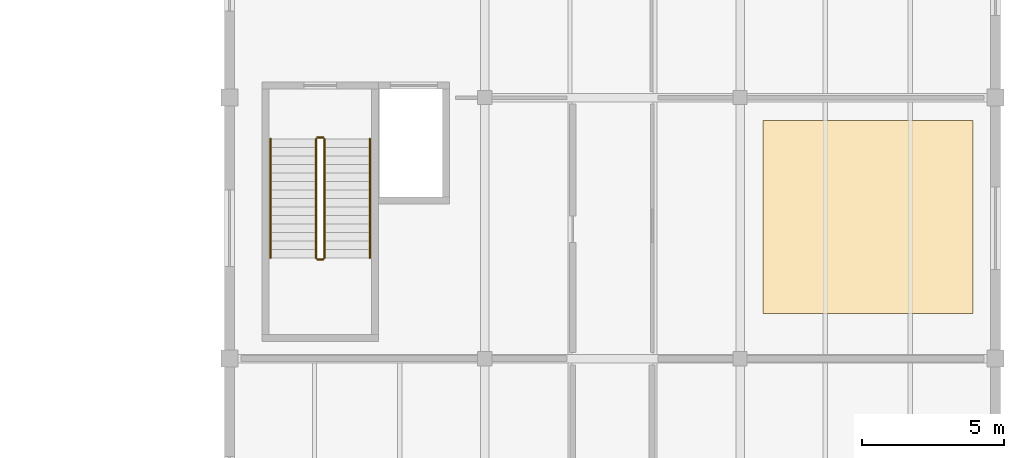
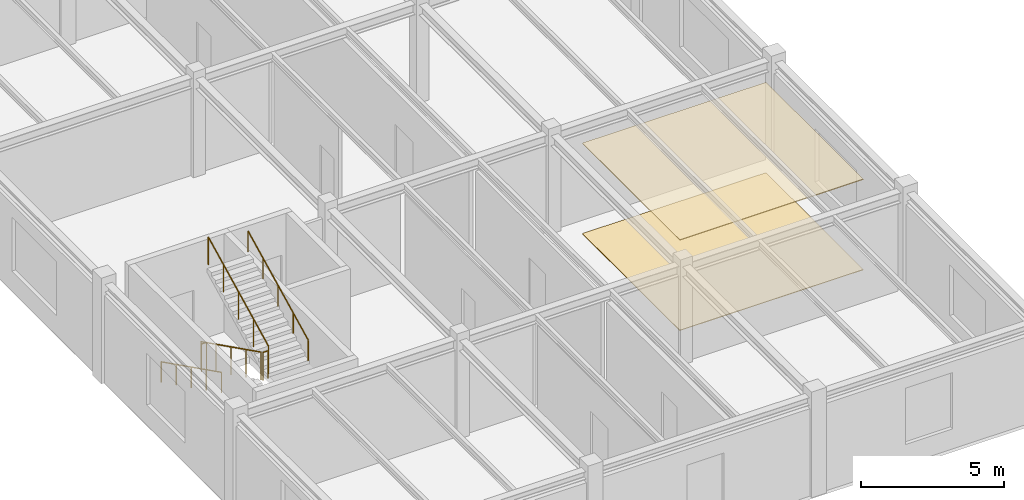
# One storey, part 55 of 55: 6 railings, 2 coverings.
"""IFC4 building model written with IfcOpenShell, lengths in metres."""

from ifc_helpers import new_model, si_unit, direction, frame, origin, origin_2d, place, context, subcontext, project, spatial, polyline, circle, outline, extrude, material, layer, layer_set, type_object, element, save


model = new_model("IFC4")

# Units and contexts
model_context = context("Model", 3, precision=1e-05, world=origin(), true_north=direction((0.0, 1.0)))
body_context = subcontext(model_context, "Body", "Model", "MODEL_VIEW")
ifc_project = project(units=[si_unit("LENGTHUNIT", "METRE"), si_unit("AREAUNIT", "SQUARE_METRE"), si_unit("VOLUMEUNIT", "CUBIC_METRE"), si_unit("PLANEANGLEUNIT", "RADIAN"), si_unit("MASSUNIT", "GRAM", prefix="KILO")], contexts=[model_context])

# Site, building, storey
site_placement = place(None, origin())
site = spatial("IfcSite", under=ifc_project, at=site_placement, CompositionType="ELEMENT")
building_placement = place(site_placement, origin())
building = spatial("IfcBuilding", under=site, at=building_placement, Name="Bozkorgan Art Gallery", CompositionType="ELEMENT")
storey_placement = place(building_placement, frame((0.0, 0.0, 15.0)))
storey = spatial("IfcBuildingStorey", under=building, at=storey_placement, Name="L03", CompositionType="ELEMENT", Elevation=15.0)

# Coverings
ifc_material_1 = material(Name="Micro-Perforated Acoustic Gypsum Board")
ifc_layer_1 = layer(ifc_material_1, 0.034912109375, Name="Micro-Perforated Acoustic Gypsum Board")
ifc_layer_set_1 = layer_set([ifc_layer_1], Name="Micro-Perforated Acoustic Gypsum Board")
covering_type_1 = type_object("IfcCoveringType", Name="COV-CEIL-01", PredefinedType="CEILING", material=ifc_layer_set_1)
covering_1_placement = place(storey_placement, frame((0.0, 0.0, 3.844970703125)))
element("IfcCovering", 1, at=covering_1_placement, inside=storey, type_object=covering_type_1, Name="V5 L03 acoustic gallery ceiling 10", PredefinedType="CEILING", context=body_context, shape_type="SweptSolid", body=[
    extrude(outline(polyline([(155.800048828125, 76.800048828125), (163.199951171875, 76.800048828125), (163.199951171875, 83.60009765625), (155.800048828125, 83.60009765625), (155.800048828125, 76.800048828125)])), origin(), (0.0, 0.0, 1.0), 0.034912109375),
])
ifc_material_2 = material(Name="Polished Kordai Granite Terrazzo", Category="masonry")
ifc_layer_2 = layer(ifc_material_2, 0.02490234375, Name="Polished Kordai Granite Terrazzo")
ifc_layer_set_2 = layer_set([ifc_layer_2], Name="Polished Kordai Granite Terrazzo")
covering_type_2 = type_object("IfcCoveringType", Name="COV-FLR-01", PredefinedType="FLOORING", material=ifc_layer_set_2)
covering_2_placement = place(storey_placement, origin())
element("IfcCovering", 2, at=covering_2_placement, inside=storey, type_object=covering_type_2, Name="V5 L03 terrazzo gallery flooring 10", PredefinedType="FLOORING", context=body_context, shape_type="SweptSolid", body=[
    extrude(outline(polyline([(155.800048828125, 76.800048828125), (163.199951171875, 76.800048828125), (163.199951171875, 83.60009765625), (155.800048828125, 83.60009765625), (155.800048828125, 76.800048828125)])), origin(), (0.0, 0.0, 1.0), 0.02490234375),
])

# Railings
ifc_material_3 = material(Name="Steel S355J2", Category="steel")
railing_type_1 = type_object("IfcRailingType", Name="RAIL-GRD-115", PredefinedType="GUARDRAIL", material=ifc_material_3)
railing_1_placement = place(storey_placement, frame((140.050048828125, 82.949951171875, 0.14990234375)))
element("IfcRailing", 3, at=railing_1_placement, inside=storey, type_object=railing_type_1, Name="L03 ST3 stair guard 1", PredefinedType="GUARDRAIL", context=body_context, shape_type="SweptSolid", body=[
    extrude(circle(Radius=0.02392578125, at=origin_2d()), frame((0.0, 0.0, 1.17578125), z_axis=(0.0, -0.894416792377, 0.447234392142), x_axis=(1.0, 0.0, 0.0)), (0.0, 0.0, 1.0), 4.69580078125),
    extrude(circle(Radius=0.02099609375, at=origin_2d()), origin(), (0.0, 0.0, 1.0), 1.15185546875),
    extrude(circle(Radius=0.02099609375, at=origin_2d()), frame((0.0, -1.050048828125, 0.52490234375)), (0.0, 0.0, 1.0), 1.15185546875),
    extrude(circle(Radius=0.02099609375, at=origin_2d()), frame((0.0, -2.10009765625, 1.050048828125)), (0.0, 0.0, 1.0), 1.15185546875),
    extrude(circle(Radius=0.02099609375, at=origin_2d()), frame((0.0, -3.14990234375, 1.5751953125)), (0.0, 0.0, 1.0), 1.15185546875),
    extrude(circle(Radius=0.02099609375, at=origin_2d()), frame((0.0, -4.199951171875, 2.10009765625)), (0.0, 0.0, 1.0), 1.15185546875),
])
railing_2_placement = place(storey_placement, frame((140.10009765625, 78.699951171875, 2.25)))
element("IfcRailing", 4, at=railing_2_placement, inside=storey, type_object=railing_type_1, Name="L03 ST3 stair guard 2", PredefinedType="GUARDRAIL", context=body_context, shape_type="SweptSolid", body=[
    extrude(circle(Radius=0.02392578125, at=origin_2d()), frame((0.0, 0.0, 1.17578125), z_axis=(1.0, 0.0, 0.0), x_axis=(0.0, 1.0, 0.0)), (0.0, 0.0, 1.0), 0.199951171875),
    extrude(circle(Radius=0.02099609375, at=origin_2d()), origin(), (0.0, 0.0, 1.0), 1.15185546875),
    extrude(circle(Radius=0.02099609375, at=origin_2d()), frame((0.199951171875, 0.0, 0.0)), (0.0, 0.0, 1.0), 1.15185546875),
])
railing_3_placement = place(storey_placement, frame((140.35009765625, 78.75, 2.39990234375)))
element("IfcRailing", 5, at=railing_3_placement, inside=storey, type_object=railing_type_1, Name="L03 ST3 stair guard 3", PredefinedType="GUARDRAIL", context=body_context, shape_type="SweptSolid", body=[
    extrude(circle(Radius=0.02392578125, at=origin_2d()), frame((0.0, 0.0, 1.17578125), z_axis=(0.0, 0.894416792377, 0.447234392142), x_axis=(-1.0, 0.0, 0.0)), (0.0, 0.0, 1.0), 4.69580078125),
    extrude(circle(Radius=0.02099609375, at=origin_2d()), origin(), (0.0, 0.0, 1.0), 1.15185546875),
    extrude(circle(Radius=0.02099609375, at=origin_2d()), frame((0.0, 1.050048828125, 0.52490234375)), (0.0, 0.0, 1.0), 1.15185546875),
    extrude(circle(Radius=0.02099609375, at=origin_2d()), frame((0.0, 2.10009765625, 1.050048828125)), (0.0, 0.0, 1.0), 1.15185546875),
    extrude(circle(Radius=0.02099609375, at=origin_2d()), frame((0.0, 3.14990234375, 1.5751953125)), (0.0, 0.0, 1.0), 1.15185546875),
    extrude(circle(Radius=0.02099609375, at=origin_2d()), frame((0.0, 4.199951171875, 2.10009765625)), (0.0, 0.0, 1.0), 1.15185546875),
])
railing_4_placement = place(storey_placement, frame((140.10009765625, 83.0, 0.0)))
element("IfcRailing", 6, at=railing_4_placement, inside=storey, type_object=railing_type_1, Name="L03 ST3 stair guard 4", PredefinedType="GUARDRAIL", context=body_context, shape_type="SweptSolid", body=[
    extrude(circle(Radius=0.02392578125, at=origin_2d()), frame((0.0, 0.0, 1.17578125), z_axis=(1.0, 0.0, 0.0), x_axis=(0.0, 1.0, 0.0)), (0.0, 0.0, 1.0), 0.199951171875),
    extrude(circle(Radius=0.02099609375, at=origin_2d()), origin(), (0.0, 0.0, 1.0), 1.15185546875),
    extrude(circle(Radius=0.02099609375, at=origin_2d()), frame((0.199951171875, 0.0, 0.0)), (0.0, 0.0, 1.0), 1.15185546875),
])
railing_type_2 = type_object("IfcRailingType", Name="RAIL-HND-092", PredefinedType="HANDRAIL", material=ifc_material_3)
railing_5_placement = place(storey_placement, frame((138.449951171875, 82.949951171875, 0.14990234375)))
element("IfcRailing", 7, at=railing_5_placement, inside=storey, type_object=railing_type_2, Name="L03 ST3 stair handrail 1", PredefinedType="HANDRAIL", context=body_context, shape_type="SweptSolid", body=[
    extrude(circle(Radius=0.02392578125, at=origin_2d()), frame((0.0, 0.0, 0.8759765625), z_axis=(0.0, -0.894416792377, 0.447234392142), x_axis=(1.0, 0.0, 0.0)), (0.0, 0.0, 1.0), 4.69580078125),
    extrude(circle(Radius=0.02099609375, at=origin_2d()), origin(), (0.0, 0.0, 1.0), 0.851806640625),
    extrude(circle(Radius=0.02099609375, at=origin_2d()), frame((0.0, -1.050048828125, 0.52490234375)), (0.0, 0.0, 1.0), 0.851806640625),
    extrude(circle(Radius=0.02099609375, at=origin_2d()), frame((0.0, -2.10009765625, 1.050048828125)), (0.0, 0.0, 1.0), 0.851806640625),
    extrude(circle(Radius=0.02099609375, at=origin_2d()), frame((0.0, -3.14990234375, 1.5751953125)), (0.0, 0.0, 1.0), 0.851806640625),
    extrude(circle(Radius=0.02099609375, at=origin_2d()), frame((0.0, -4.199951171875, 2.10009765625)), (0.0, 0.0, 1.0), 0.851806640625),
])
railing_6_placement = place(storey_placement, frame((141.949951171875, 78.75, 2.39990234375)))
element("IfcRailing", 8, at=railing_6_placement, inside=storey, type_object=railing_type_2, Name="L03 ST3 stair handrail 2", PredefinedType="HANDRAIL", context=body_context, shape_type="SweptSolid", body=[
    extrude(circle(Radius=0.02392578125, at=origin_2d()), frame((0.0, 0.0, 0.8759765625), z_axis=(0.0, 0.894416792377, 0.447234392142), x_axis=(-1.0, 0.0, 0.0)), (0.0, 0.0, 1.0), 4.69580078125),
    extrude(circle(Radius=0.02099609375, at=origin_2d()), origin(), (0.0, 0.0, 1.0), 0.851806640625),
    extrude(circle(Radius=0.02099609375, at=origin_2d()), frame((0.0, 1.050048828125, 0.52490234375)), (0.0, 0.0, 1.0), 0.851806640625),
    extrude(circle(Radius=0.02099609375, at=origin_2d()), frame((0.0, 2.10009765625, 1.050048828125)), (0.0, 0.0, 1.0), 0.851806640625),
    extrude(circle(Radius=0.02099609375, at=origin_2d()), frame((0.0, 3.14990234375, 1.5751953125)), (0.0, 0.0, 1.0), 0.851806640625),
    extrude(circle(Radius=0.02099609375, at=origin_2d()), frame((0.0, 4.199951171875, 2.10009765625)), (0.0, 0.0, 1.0), 0.851806640625),
])

save(model, "model.ifc")
